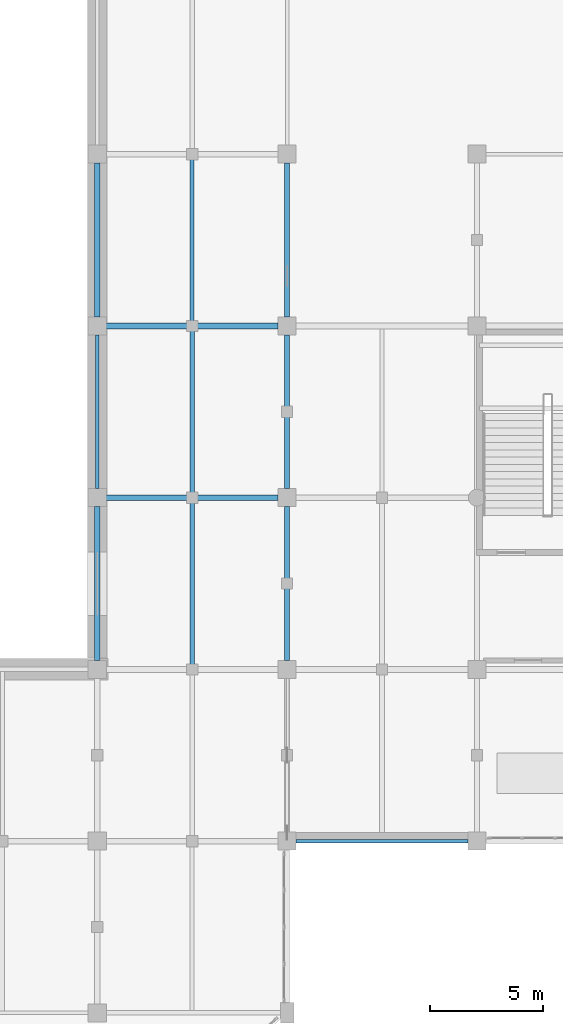
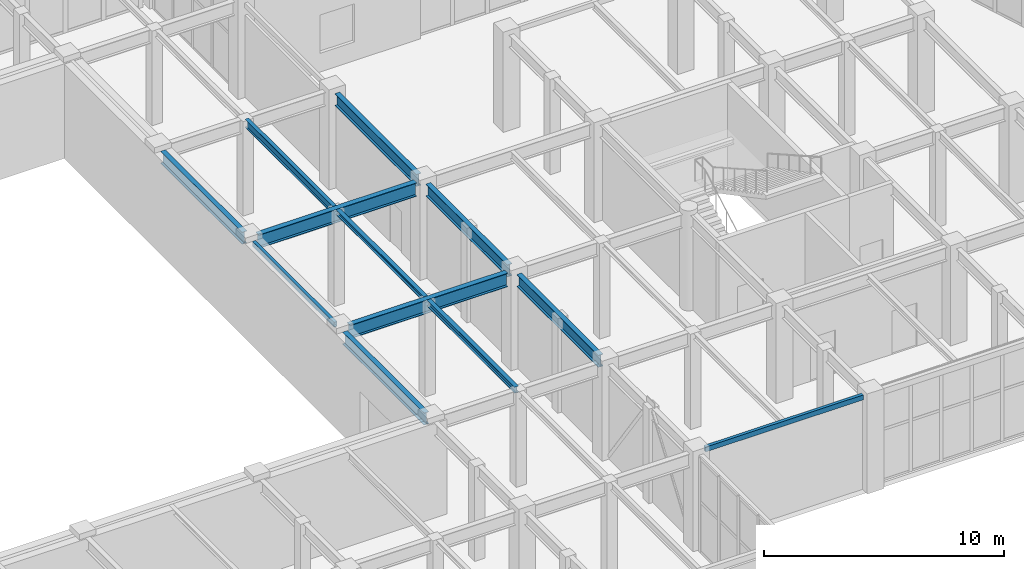
# One storey, part 40 of 128: 12 beams.
"""IFC4 building model written with IfcOpenShell, lengths in metres."""

from ifc_helpers import new_model, si_unit, direction, frame, origin, origin_2d, place, context, subcontext, project, spatial, hollow_rectangle, i_section, extrude, material, material_profile, profile_set, type_object, element, save


model = new_model("IFC4")

# Units and contexts
model_context = context("Model", 3, precision=1e-05, world=origin(), true_north=direction((0.0, 1.0)))
body_context = subcontext(model_context, "Body", "Model", "MODEL_VIEW")
ifc_project = project(units=[si_unit("LENGTHUNIT", "METRE"), si_unit("AREAUNIT", "SQUARE_METRE"), si_unit("VOLUMEUNIT", "CUBIC_METRE"), si_unit("PLANEANGLEUNIT", "RADIAN"), si_unit("MASSUNIT", "GRAM", prefix="KILO")], contexts=[model_context])

# Site, building, storey
site_placement = place(None, origin())
site = spatial("IfcSite", under=ifc_project, at=site_placement, CompositionType="ELEMENT")
building_placement = place(site_placement, origin())
building = spatial("IfcBuilding", under=site, at=building_placement, Name="Xicomal Pleat Aquarium", CompositionType="ELEMENT")
storey_placement = place(building_placement, frame((0.0, 0.0, 5.39990234375)))
storey = spatial("IfcBuildingStorey", under=building, at=storey_placement, Name="L02", CompositionType="ELEMENT", Elevation=5.39990234375)

# Beams
ifc_material_1 = material(Name="Structural steel A992 Gr 50", Category="steel")
ifc_material_profile_1 = material_profile(ifc_material_1, i_section(OverallWidth=0.201904296875, OverallDepth=0.2470703125, WebThickness=0.00732421875, FlangeThickness=0.010986328125, at=origin_2d()), Name="IR 250x49")
ifc_profile_set_1 = profile_set([ifc_material_profile_1], Name="Structural steel A992 Gr 50")
beam_type_1 = type_object("IfcBeamType", Name="BM-STL-IR250", PredefinedType="JOIST", material=ifc_profile_set_1)
beam_1_placement = place(storey_placement, frame((90.0, 53.3310546875, 4.696533203125), z_axis=(0.0, 1.0, 0.0), x_axis=(-1.0, 0.0, 0.0)))
element("IfcBeam", 1, at=beam_1_placement, inside=storey, type_object=beam_type_1, Name="L02 framing beam FBJ-L02-11-H-1", PredefinedType="JOIST", context=body_context, shape_type="SweptSolid", body=[
    extrude(i_section(OverallWidth=0.201904296875, OverallDepth=0.2470703125, WebThickness=0.00732421875, FlangeThickness=0.010986328125, at=origin_2d()), origin(), (0.0, 0.0, 1.0), 7.337890625),
])
ifc_material_2 = material(Name="Structural steel A992 Gr 50", Category="steel")
ifc_material_profile_2 = material_profile(ifc_material_2, i_section(OverallWidth=0.202880859375, OverallDepth=0.302978515625, WebThickness=0.007568359375, FlangeThickness=0.01318359375, at=origin_2d()), Name="IR 310x60")
ifc_profile_set_2 = profile_set([ifc_material_profile_2], Name="Structural steel A992 Gr 50")
beam_type_2 = type_object("IfcBeamType", Name="BM-STL-IR310", PredefinedType="JOIST", material=ifc_profile_set_2)
beam_2_placement = place(storey_placement, frame((90.0, 45.73095703125, 4.668701171875), z_axis=(0.0, 1.0, 0.0), x_axis=(-1.0, 0.0, 0.0)))
element("IfcBeam", 2, at=beam_2_placement, inside=storey, type_object=beam_type_2, Name="L02 framing beam FBJ-L02-11-G-1", PredefinedType="JOIST", context=body_context, shape_type="SweptSolid", body=[
    extrude(i_section(OverallWidth=0.202880859375, OverallDepth=0.302978515625, WebThickness=0.007568359375, FlangeThickness=0.01318359375, at=origin_2d()), origin(), (0.0, 0.0, 1.0), 7.338134765625),
])
ifc_material_3 = material(Name="Structural steel A992 Gr 50", Category="steel")
ifc_material_profile_3 = material_profile(ifc_material_3, i_section(OverallWidth=0.180908203125, OverallDepth=0.4169921875, WebThickness=0.010986328125, FlangeThickness=0.018310546875, at=origin_2d()), Name="IR 410x85")
ifc_profile_set_3 = profile_set([ifc_material_profile_3], Name="Structural steel A992 Gr 50")
beam_type_3 = type_object("IfcBeamType", Name="BM-STL-IR410", PredefinedType="JOIST", material=ifc_profile_set_3)
beam_3_placement = place(storey_placement, frame((90.0, 60.930908203125, 4.611572265625), z_axis=(0.0, 1.0, 0.0), x_axis=(-1.0, 0.0, 0.0)))
element("IfcBeam", 3, at=beam_3_placement, inside=storey, type_object=beam_type_3, Name="L02 framing beam FBJ-L02-11-J-1", PredefinedType="JOIST", context=body_context, shape_type="SweptSolid", body=[
    extrude(i_section(OverallWidth=0.180908203125, OverallDepth=0.4169921875, WebThickness=0.010986328125, FlangeThickness=0.018310546875, at=origin_2d()), origin(), (0.0, 0.0, 1.0), 7.338134765625),
])
ifc_material_4 = material(Name="Structural steel A992 Gr 50", Category="steel")
ifc_material_profile_4 = material_profile(ifc_material_4, i_section(OverallWidth=0.22998046875, OverallDepth=0.616943359375, WebThickness=0.01318359375, FlangeThickness=0.022216796875, at=origin_2d()), Name="IR 610x140")
ifc_profile_set_4 = profile_set([ifc_material_profile_4], Name="Structural steel A992 Gr 50")
beam_type_4 = type_object("IfcBeamType", Name="BM-STL-IR610", PredefinedType="BEAM", material=ifc_profile_set_4)
for number, where, z_axis, x_axis, name in (
    (4, (85.800048828125, 45.9951171875, 4.51171875), (0.0, 1.0, 0.0), (-1.0, 0.0, 0.0), "L02 framing beam FGY-L02-11-G-H"),
    (5, (85.800048828125, 61.195068359375, 4.51171875), (0.0, 1.0, 0.0), (-1.0, 0.0, 0.0), "L02 framing beam FGY-L02-11-J-K"),
    (6, (94.199951171875, 45.9951171875, 4.51171875), (0.0, 1.0, 0.0), (-1.0, 0.0, 0.0), "L02 framing beam FGY-L02-12-G-H"),
):
    element("IfcBeam", number, at=place(storey_placement, frame(where, z_axis=z_axis, x_axis=x_axis)), inside=storey, type_object=beam_type_4, Name=name, PredefinedType="BEAM", context=body_context, shape_type="SweptSolid", body=[
        extrude(i_section(OverallWidth=0.22998046875, OverallDepth=0.616943359375, WebThickness=0.01318359375, FlangeThickness=0.022216796875, at=origin_2d()), origin(), (0.0, 0.0, 1.0), 6.809814453125),
    ])
beam_4_placement = place(storey_placement, frame((94.199951171875, 53.594970703125, 4.51171875), z_axis=(0.0, 1.0, 0.0), x_axis=(-1.0, 0.0, 0.0)))
element("IfcBeam", 7, at=beam_4_placement, inside=storey, type_object=beam_type_4, Name="L02 framing beam FGY-L02-12-H-J", PredefinedType="BEAM", context=body_context, shape_type="SweptSolid", body=[
    extrude(i_section(OverallWidth=0.22998046875, OverallDepth=0.616943359375, WebThickness=0.01318359375, FlangeThickness=0.022216796875, at=origin_2d()), origin(), (0.0, 0.0, 1.0), 6.81005859375),
])
beam_5_placement = place(storey_placement, frame((94.199951171875, 61.195068359375, 4.51171875), z_axis=(0.0, 1.0, 0.0), x_axis=(-1.0, 0.0, 0.0)))
element("IfcBeam", 8, at=beam_5_placement, inside=storey, type_object=beam_type_4, Name="L02 framing beam FGY-L02-12-J-K", PredefinedType="BEAM", context=body_context, shape_type="SweptSolid", body=[
    extrude(i_section(OverallWidth=0.22998046875, OverallDepth=0.616943359375, WebThickness=0.01318359375, FlangeThickness=0.022216796875, at=origin_2d()), origin(), (0.0, 0.0, 1.0), 6.809814453125),
])
ifc_material_5 = material(Name="Structural steel A992 Gr 50", Category="steel")
ifc_material_profile_5 = material_profile(ifc_material_5, i_section(OverallWidth=0.256103515625, OverallDepth=0.693115234375, WebThickness=0.014404296875, FlangeThickness=0.023681640625, at=origin_2d()), Name="IR 690x170")
ifc_profile_set_5 = profile_set([ifc_material_profile_5], Name="Structural steel A992 Gr 50")
beam_type_5 = type_object("IfcBeamType", Name="BM-STL-IR690", PredefinedType="BEAM", material=ifc_profile_set_5)
for number, where, z_axis, x_axis, name in (
    (9, (86.195068359375, 53.199951171875, 4.4736328125), (1.0, 0.0, 0.0), (0.0, 1.0, 0.0), "L02 framing beam FGX-L02-11-12-H"),
    (10, (86.195068359375, 60.800048828125, 4.4736328125), (1.0, 0.0, 0.0), (0.0, 1.0, 0.0), "L02 framing beam FGX-L02-11-12-J"),
):
    element("IfcBeam", number, at=place(storey_placement, frame(where, z_axis=z_axis, x_axis=x_axis)), inside=storey, type_object=beam_type_5, Name=name, PredefinedType="BEAM", context=body_context, shape_type="SweptSolid", body=[
        extrude(i_section(OverallWidth=0.256103515625, OverallDepth=0.693115234375, WebThickness=0.014404296875, FlangeThickness=0.023681640625, at=origin_2d()), origin(), (0.0, 0.0, 1.0), 7.60986328125),
    ])
ifc_material_6 = material(Name="Structural steel A500 Gr C", Category="steel")
ifc_material_profile_6 = material_profile(ifc_material_6, hollow_rectangle(XDim=0.14990234375, YDim=0.25, WallThickness=0.010009765625, at=origin_2d()), Name="OR 250x150x10")
ifc_profile_set_6 = profile_set([ifc_material_profile_6], Name="Structural steel A500 Gr C")
beam_type_6 = type_object("IfcBeamType", Name="BM-STL-OR250", PredefinedType="SPANDREL", material=ifc_profile_set_6)
beam_6_placement = place(storey_placement, frame((94.594970703125, 38.0, 4.735107421875), z_axis=(1.0, 0.0, 0.0), x_axis=(0.0, 1.0, 0.0)))
element("IfcBeam", 11, at=beam_6_placement, inside=storey, type_object=beam_type_6, Name="L02 framing beam FGX-L02-12-13-F", PredefinedType="SPANDREL", context=body_context, shape_type="SweptSolid", body=[
    extrude(hollow_rectangle(XDim=0.14990234375, YDim=0.25, WallThickness=0.010009765625, at=origin_2d()), origin(), (0.0, 0.0, 1.0), 7.610107421875),
])
beam_7_placement = place(storey_placement, frame((85.800048828125, 53.594970703125, 4.695068359375), z_axis=(0.0, 1.0, 0.0), x_axis=(-1.0, 0.0, 0.0)))
element("IfcBeam", 12, at=beam_7_placement, inside=storey, type_object=beam_type_6, Name="L02 framing beam FGY-L02-11-H-J", PredefinedType="SPANDREL", context=body_context, shape_type="SweptSolid", body=[
    extrude(hollow_rectangle(XDim=0.14990234375, YDim=0.25, WallThickness=0.010009765625, at=origin_2d()), origin(), (0.0, 0.0, 1.0), 6.81005859375),
])

save(model, "model.ifc")
